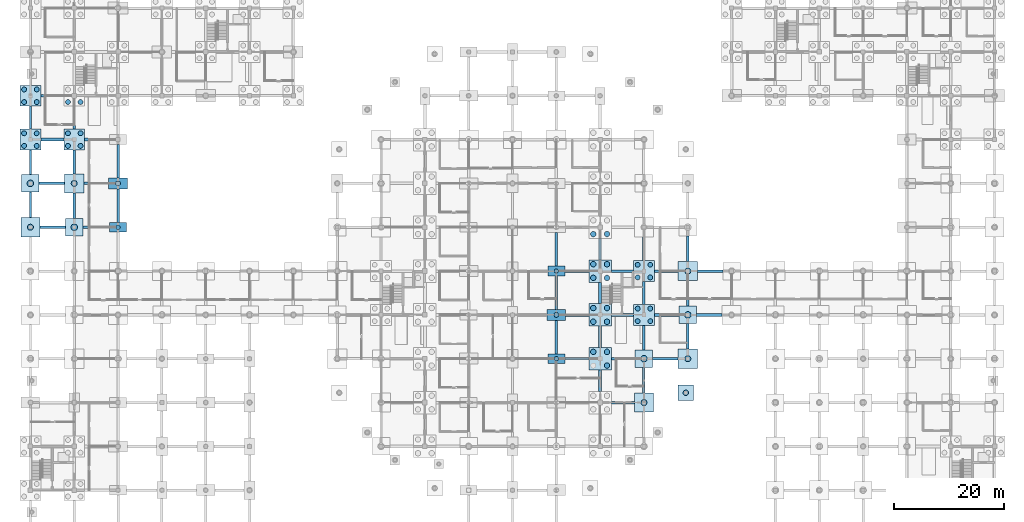
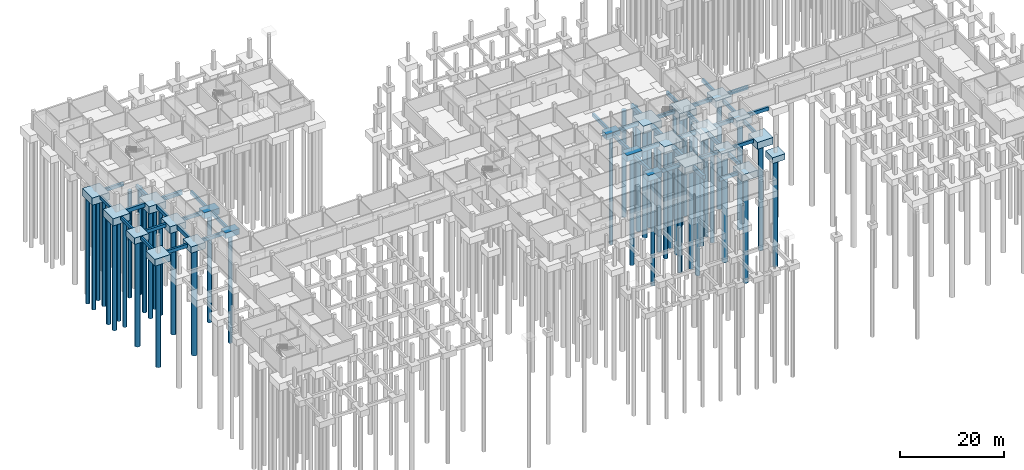
# One storey, part 5 of 48: 64 footings, 50 piles.
"""IFC4 building model written with IfcOpenShell, lengths in metres."""

from ifc_helpers import new_model, si_unit, derived_unit, direction, frame, origin, origin_2d, place, context, subcontext, project, spatial, rectangle, circle, extrude, material, material_profile, profile_set, type_object, element, save


model = new_model("IFC4")

# Units and contexts
model_context = context("Model", 3, precision=1e-05, world=origin(), true_north=direction((0.0, 1.0)))
body_context = subcontext(model_context, "Body", "Model", "MODEL_VIEW")
ifc_project = project(units=[si_unit("LENGTHUNIT", "METRE"), si_unit("AREAUNIT", "SQUARE_METRE"), si_unit("VOLUMEUNIT", "CUBIC_METRE"), si_unit("PLANEANGLEUNIT", "RADIAN"), si_unit("MASSUNIT", "GRAM", prefix="KILO"), derived_unit("THERMALTRANSMITTANCEUNIT", [(si_unit("MASSUNIT", "GRAM", prefix="KILO"), 1), (si_unit("TIMEUNIT", "SECOND"), -3), (si_unit("THERMODYNAMICTEMPERATUREUNIT", "KELVIN"), -1)])], contexts=[model_context])

# Site, building, storey
site_placement = place(None, origin())
site = spatial("IfcSite", under=ifc_project, at=site_placement, CompositionType="ELEMENT")
building_placement = place(site_placement, origin())
building = spatial("IfcBuilding", under=site, at=building_placement, Name="Veyamyaing Civic Hall", CompositionType="ELEMENT")
storey_placement = place(building_placement, frame((0.0, 0.0, -4.2900390625)))
storey = spatial("IfcBuildingStorey", under=building, at=storey_placement, Name="B1", CompositionType="ELEMENT", Elevation=-4.2900390625)

# Footings
ifc_material_1 = material(Name="Concrete C40/50", Category="concrete")
ifc_material_profile_1 = material_profile(ifc_material_1, rectangle(XDim=0.5, YDim=0.85009765625, at=origin_2d()), Name="GB-500X850")
ifc_profile_set_1 = profile_set([ifc_material_profile_1], Name="Concrete C40/50")
footing_type_1 = type_object("IfcFootingType", Name="GB-01", PredefinedType="FOOTING_BEAM", material=ifc_profile_set_1)
footing_1_placement = place(storey_placement, frame((8.0, 65.60009765625, -0.574951171875), z_axis=(0.0, 1.0, 0.0), x_axis=(-1.0, 0.0, 0.0)))
element("IfcFooting", 1, at=footing_1_placement, inside=storey, type_object=footing_type_1, Name="Footing tie beam GB-01 Y 1-8", PredefinedType="FOOTING_BEAM", context=body_context, shape_type="SweptSolid", body=[
    extrude(rectangle(XDim=0.5, YDim=0.85009765625, at=origin_2d()), origin(), (0.0, 0.0, 1.0), 4.64990234375),
])
footing_2_placement = place(storey_placement, frame((8.0, 73.75, -0.574951171875), z_axis=(0.0, 1.0, 0.0), x_axis=(-1.0, 0.0, 0.0)))
element("IfcFooting", 2, at=footing_2_placement, inside=storey, type_object=footing_type_1, Name="Footing tie beam GB-01 Y 1-9", PredefinedType="FOOTING_BEAM", context=body_context, shape_type="SweptSolid", body=[
    extrude(rectangle(XDim=0.5, YDim=0.85009765625, at=origin_2d()), origin(), (0.0, 0.0, 1.0), 4.35009765625),
])
footing_3_placement = place(storey_placement, frame((8.0, 81.89990234375, -0.574951171875), z_axis=(0.0, 1.0, 0.0), x_axis=(-1.0, 0.0, 0.0)))
element("IfcFooting", 3, at=footing_3_placement, inside=storey, type_object=footing_type_1, Name="Footing tie beam GB-01 Y 1-10", PredefinedType="FOOTING_BEAM", context=body_context, shape_type="SweptSolid", body=[
    extrude(rectangle(XDim=0.5, YDim=0.85009765625, at=origin_2d()), origin(), (0.0, 0.0, 1.0), 4.2001953125),
])
footing_4_placement = place(storey_placement, frame((97.699951171875, 48.0, -0.574951171875), z_axis=(1.0, 0.0, 0.0), x_axis=(0.0, 1.0, 0.0)))
element("IfcFooting", 4, at=footing_4_placement, inside=storey, type_object=footing_type_1, Name="Footing tie beam GB-01 X 12-6", PredefinedType="FOOTING_BEAM", context=body_context, shape_type="SweptSolid", body=[
    extrude(rectangle(XDim=0.5, YDim=0.85009765625, at=origin_2d()), origin(), (0.0, 0.0, 1.0), 4.25),
])
footing_5_placement = place(storey_placement, frame((106.050048828125, 48.0, -0.574951171875), z_axis=(1.0, 0.0, 0.0), x_axis=(0.0, 1.0, 0.0)))
element("IfcFooting", 5, at=footing_5_placement, inside=storey, type_object=footing_type_1, Name="Footing tie beam GB-01 X 13-6", PredefinedType="FOOTING_BEAM", context=body_context, shape_type="SweptSolid", body=[
    extrude(rectangle(XDim=0.5, YDim=0.85009765625, at=origin_2d()), origin(), (0.0, 0.0, 1.0), 4.050048828125),
])
footing_6_placement = place(storey_placement, frame((113.89990234375, 48.0, -0.574951171875), z_axis=(1.0, 0.0, 0.0), x_axis=(0.0, 1.0, 0.0)))
element("IfcFooting", 6, at=footing_6_placement, inside=storey, type_object=footing_type_1, Name="Footing tie beam GB-01 X 14-6", PredefinedType="FOOTING_BEAM", context=body_context, shape_type="SweptSolid", body=[
    extrude(rectangle(XDim=0.5, YDim=0.85009765625, at=origin_2d()), origin(), (0.0, 0.0, 1.0), 4.5),
])
footing_7_placement = place(storey_placement, frame((121.60009765625, 48.0, -0.574951171875), z_axis=(1.0, 0.0, 0.0), x_axis=(0.0, 1.0, 0.0)))
element("IfcFooting", 7, at=footing_7_placement, inside=storey, type_object=footing_type_1, Name="Footing tie beam GB-01 X 15-6", PredefinedType="FOOTING_BEAM", context=body_context, shape_type="SweptSolid", body=[
    extrude(rectangle(XDim=0.5, YDim=0.85009765625, at=origin_2d()), origin(), (0.0, 0.0, 1.0), 4.64990234375),
])
ifc_material_profile_2 = material_profile(ifc_material_1, rectangle(XDim=0.449951171875, YDim=0.800048828125, at=origin_2d()), Name="GB-450X800")
ifc_profile_set_2 = profile_set([ifc_material_profile_2], Name="Concrete C40/50")
footing_type_2 = type_object("IfcFootingType", Name="GB-02", PredefinedType="FOOTING_BEAM", material=ifc_profile_set_2)
for number, where, z_axis, x_axis, name in (
    (8, (1.75, 64.0, -0.550048828125), (1.0, 0.0, 0.0), (0.0, 1.0, 0.0), "Footing tie beam GB-02 X 0-8"),
    (9, (1.60009765625, 72.0, -0.550048828125), (1.0, 0.0, 0.0), (0.0, 1.0, 0.0), "Footing tie beam GB-02 X 0-9"),
):
    element("IfcFooting", number, at=place(storey_placement, frame(where, z_axis=z_axis, x_axis=x_axis)), inside=storey, type_object=footing_type_2, Name=name, PredefinedType="FOOTING_BEAM", context=body_context, shape_type="SweptSolid", body=[
        extrude(rectangle(XDim=0.449951171875, YDim=0.800048828125, at=origin_2d()), origin(), (0.0, 0.0, 1.0), 4.64990234375),
    ])
footing_8_placement = place(storey_placement, frame((1.89990234375, 88.0, -0.550048828125), z_axis=(1.0, 0.0, 0.0), x_axis=(0.0, 1.0, 0.0)))
element("IfcFooting", 10, at=footing_8_placement, inside=storey, type_object=footing_type_2, Name="Footing tie beam GB-02 X 0-11", PredefinedType="FOOTING_BEAM", context=body_context, shape_type="SweptSolid", body=[
    extrude(rectangle(XDim=0.449951171875, YDim=0.800048828125, at=origin_2d()), origin(), (0.0, 0.0, 1.0), 4.2001953125),
])
footing_9_placement = place(storey_placement, frame((9.60009765625, 64.0, -0.550048828125), z_axis=(1.0, 0.0, 0.0), x_axis=(0.0, 1.0, 0.0)))
element("IfcFooting", 11, at=footing_9_placement, inside=storey, type_object=footing_type_2, Name="Footing tie beam GB-02 X 1-8", PredefinedType="FOOTING_BEAM", context=body_context, shape_type="SweptSolid", body=[
    extrude(rectangle(XDim=0.449951171875, YDim=0.800048828125, at=origin_2d()), origin(), (0.0, 0.0, 1.0), 4.849853515625),
])
footing_10_placement = place(storey_placement, frame((9.75, 72.0, -0.550048828125), z_axis=(1.0, 0.0, 0.0), x_axis=(0.0, 1.0, 0.0)))
element("IfcFooting", 12, at=footing_10_placement, inside=storey, type_object=footing_type_2, Name="Footing tie beam GB-02 X 1-9", PredefinedType="FOOTING_BEAM", context=body_context, shape_type="SweptSolid", body=[
    extrude(rectangle(XDim=0.449951171875, YDim=0.800048828125, at=origin_2d()), origin(), (0.0, 0.0, 1.0), 4.550048828125),
])
for number, where, z_axis, x_axis, name in (
    (13, (16.0, 64.89990234375, -0.550048828125), (0.0, 1.0, 0.0), (-1.0, 0.0, 0.0), "Footing tie beam GB-02 Y 2-8"),
    (14, (16.0, 73.0, -0.550048828125), (0.0, 1.0, 0.0), (-1.0, 0.0, 0.0), "Footing tie beam GB-02 Y 2-9"),
):
    element("IfcFooting", number, at=place(storey_placement, frame(where, z_axis=z_axis, x_axis=x_axis)), inside=storey, type_object=footing_type_2, Name=name, PredefinedType="FOOTING_BEAM", context=body_context, shape_type="SweptSolid", body=[
        extrude(rectangle(XDim=0.449951171875, YDim=0.800048828125, at=origin_2d()), origin(), (0.0, 0.0, 1.0), 6.10009765625),
    ])
footing_11_placement = place(storey_placement, frame((97.550048828125, 40.0, -0.550048828125), z_axis=(1.0, 0.0, 0.0), x_axis=(0.0, 1.0, 0.0)))
element("IfcFooting", 15, at=footing_11_placement, inside=storey, type_object=footing_type_2, Name="Footing tie beam GB-02 X 12-5", PredefinedType="FOOTING_BEAM", context=body_context, shape_type="SweptSolid", body=[
    extrude(rectangle(XDim=0.449951171875, YDim=0.800048828125, at=origin_2d()), origin(), (0.0, 0.0, 1.0), 4.39990234375),
])
for number, where, z_axis, x_axis, name in (
    (16, (96.0, 40.89990234375, -0.550048828125), (0.0, 1.0, 0.0), (-1.0, 0.0, 0.0), "Footing tie beam GB-02 Y 12-5"),
    (17, (96.0, 49.0, -0.550048828125), (0.0, 1.0, 0.0), (-1.0, 0.0, 0.0), "Footing tie beam GB-02 Y 12-6"),
):
    element("IfcFooting", number, at=place(storey_placement, frame(where, z_axis=z_axis, x_axis=x_axis)), inside=storey, type_object=footing_type_2, Name=name, PredefinedType="FOOTING_BEAM", context=body_context, shape_type="SweptSolid", body=[
        extrude(rectangle(XDim=0.449951171875, YDim=0.800048828125, at=origin_2d()), origin(), (0.0, 0.0, 1.0), 6.10009765625),
    ])
footing_12_placement = place(storey_placement, frame((97.550048828125, 56.0, -0.550048828125), z_axis=(1.0, 0.0, 0.0), x_axis=(0.0, 1.0, 0.0)))
element("IfcFooting", 18, at=footing_12_placement, inside=storey, type_object=footing_type_2, Name="Footing tie beam GB-02 X 12-7", PredefinedType="FOOTING_BEAM", context=body_context, shape_type="SweptSolid", body=[
    extrude(rectangle(XDim=0.449951171875, YDim=0.800048828125, at=origin_2d()), origin(), (0.0, 0.0, 1.0), 4.39990234375),
])
footing_13_placement = place(storey_placement, frame((96.0, 56.89990234375, -0.550048828125), z_axis=(0.0, 1.0, 0.0), x_axis=(-1.0, 0.0, 0.0)))
element("IfcFooting", 19, at=footing_13_placement, inside=storey, type_object=footing_type_2, Name="Footing tie beam GB-02 Y 12-7", PredefinedType="FOOTING_BEAM", context=body_context, shape_type="SweptSolid", body=[
    extrude(rectangle(XDim=0.449951171875, YDim=0.800048828125, at=origin_2d()), origin(), (0.0, 0.0, 1.0), 6.10009765625),
])
footing_14_placement = place(storey_placement, frame((106.050048828125, 32.0, -0.550048828125), z_axis=(1.0, 0.0, 0.0), x_axis=(0.0, 1.0, 0.0)))
element("IfcFooting", 20, at=footing_14_placement, inside=storey, type_object=footing_type_2, Name="Footing tie beam GB-02 X 13-4", PredefinedType="FOOTING_BEAM", context=body_context, shape_type="SweptSolid", body=[
    extrude(rectangle(XDim=0.449951171875, YDim=0.800048828125, at=origin_2d()), origin(), (0.0, 0.0, 1.0), 4.199951171875),
])
footing_15_placement = place(storey_placement, frame((106.050048828125, 40.0, -0.550048828125), z_axis=(1.0, 0.0, 0.0), x_axis=(0.0, 1.0, 0.0)))
element("IfcFooting", 21, at=footing_15_placement, inside=storey, type_object=footing_type_2, Name="Footing tie beam GB-02 X 13-5", PredefinedType="FOOTING_BEAM", context=body_context, shape_type="SweptSolid", body=[
    extrude(rectangle(XDim=0.449951171875, YDim=0.800048828125, at=origin_2d()), origin(), (0.0, 0.0, 1.0), 4.349853515625),
])
footing_16_placement = place(storey_placement, frame((106.050048828125, 56.0, -0.550048828125), z_axis=(1.0, 0.0, 0.0), x_axis=(0.0, 1.0, 0.0)))
element("IfcFooting", 22, at=footing_16_placement, inside=storey, type_object=footing_type_2, Name="Footing tie beam GB-02 X 13-7", PredefinedType="FOOTING_BEAM", context=body_context, shape_type="SweptSolid", body=[
    extrude(rectangle(XDim=0.449951171875, YDim=0.800048828125, at=origin_2d()), origin(), (0.0, 0.0, 1.0), 4.050048828125),
])
for number, where, z_axis, x_axis, name in (
    (23, (112.0, 33.75, -0.550048828125), (0.0, 1.0, 0.0), (-1.0, 0.0, 0.0), "Footing tie beam GB-02 Y 14-4"),
    (24, (113.60009765625, 40.0, -0.550048828125), (1.0, 0.0, 0.0), (0.0, 1.0, 0.0), "Footing tie beam GB-02 X 14-5"),
):
    element("IfcFooting", number, at=place(storey_placement, frame(where, z_axis=z_axis, x_axis=x_axis)), inside=storey, type_object=footing_type_2, Name=name, PredefinedType="FOOTING_BEAM", context=body_context, shape_type="SweptSolid", body=[
        extrude(rectangle(XDim=0.449951171875, YDim=0.800048828125, at=origin_2d()), origin(), (0.0, 0.0, 1.0), 4.64990234375),
    ])
footing_17_placement = place(storey_placement, frame((112.0, 41.60009765625, -0.550048828125), z_axis=(0.0, 1.0, 0.0), x_axis=(-1.0, 0.0, 0.0)))
element("IfcFooting", 25, at=footing_17_placement, inside=storey, type_object=footing_type_2, Name="Footing tie beam GB-02 Y 14-5", PredefinedType="FOOTING_BEAM", context=body_context, shape_type="SweptSolid", body=[
    extrude(rectangle(XDim=0.449951171875, YDim=0.800048828125, at=origin_2d()), origin(), (0.0, 0.0, 1.0), 4.5),
])
footing_18_placement = place(storey_placement, frame((112.0, 49.89990234375, -0.550048828125), z_axis=(0.0, 1.0, 0.0), x_axis=(-1.0, 0.0, 0.0)))
element("IfcFooting", 26, at=footing_18_placement, inside=storey, type_object=footing_type_2, Name="Footing tie beam GB-02 Y 14-6", PredefinedType="FOOTING_BEAM", context=body_context, shape_type="SweptSolid", body=[
    extrude(rectangle(XDim=0.449951171875, YDim=0.800048828125, at=origin_2d()), origin(), (0.0, 0.0, 1.0), 4.2001953125),
])
for number, where, z_axis, x_axis, name in (
    (27, (113.89990234375, 56.0, -0.550048828125), (1.0, 0.0, 0.0), (0.0, 1.0, 0.0), "Footing tie beam GB-02 X 14-7"),
    (28, (112.0, 57.89990234375, -0.550048828125), (0.0, 1.0, 0.0), (-1.0, 0.0, 0.0), "Footing tie beam GB-02 Y 14-7"),
):
    element("IfcFooting", number, at=place(storey_placement, frame(where, z_axis=z_axis, x_axis=x_axis)), inside=storey, type_object=footing_type_2, Name=name, PredefinedType="FOOTING_BEAM", context=body_context, shape_type="SweptSolid", body=[
        extrude(rectangle(XDim=0.449951171875, YDim=0.800048828125, at=origin_2d()), origin(), (0.0, 0.0, 1.0), 4.35009765625),
    ])
for number, where, z_axis, x_axis, name in (
    (29, (120.0, 41.75, -0.550048828125), (0.0, 1.0, 0.0), (-1.0, 0.0, 0.0), "Footing tie beam GB-02 Y 15-5"),
    (30, (120.0, 49.60009765625, -0.550048828125), (0.0, 1.0, 0.0), (-1.0, 0.0, 0.0), "Footing tie beam GB-02 Y 15-6"),
    (31, (121.75, 56.0, -0.550048828125), (1.0, 0.0, 0.0), (0.0, 1.0, 0.0), "Footing tie beam GB-02 X 15-7"),
    (32, (120.0, 57.75, -0.550048828125), (0.0, 1.0, 0.0), (-1.0, 0.0, 0.0), "Footing tie beam GB-02 Y 15-7"),
):
    element("IfcFooting", number, at=place(storey_placement, frame(where, z_axis=z_axis, x_axis=x_axis)), inside=storey, type_object=footing_type_2, Name=name, PredefinedType="FOOTING_BEAM", context=body_context, shape_type="SweptSolid", body=[
        extrude(rectangle(XDim=0.449951171875, YDim=0.800048828125, at=origin_2d()), origin(), (0.0, 0.0, 1.0), 4.64990234375),
    ])
ifc_material_profile_3 = material_profile(ifc_material_1, rectangle(XDim=0.39990234375, YDim=0.699951171875, at=origin_2d()), Name="GB-400X700")
ifc_profile_set_3 = profile_set([ifc_material_profile_3], Name="Concrete C40/50")
footing_type_3 = type_object("IfcFootingType", Name="GB-03", PredefinedType="FOOTING_BEAM", material=ifc_profile_set_3)
footing_19_placement = place(storey_placement, frame((0.0, 65.75, -0.5), z_axis=(0.0, 1.0, 0.0), x_axis=(-1.0, 0.0, 0.0)))
element("IfcFooting", 33, at=footing_19_placement, inside=storey, type_object=footing_type_3, Name="Footing tie beam GB-03 Y 0-8", PredefinedType="FOOTING_BEAM", context=body_context, shape_type="SweptSolid", body=[
    extrude(rectangle(XDim=0.39990234375, YDim=0.699951171875, at=origin_2d()), origin(), (0.0, 0.0, 1.0), 4.64990234375),
])
footing_20_placement = place(storey_placement, frame((0.0, 73.60009765625, -0.5), z_axis=(0.0, 1.0, 0.0), x_axis=(-1.0, 0.0, 0.0)))
element("IfcFooting", 34, at=footing_20_placement, inside=storey, type_object=footing_type_3, Name="Footing tie beam GB-03 Y 0-9", PredefinedType="FOOTING_BEAM", context=body_context, shape_type="SweptSolid", body=[
    extrude(rectangle(XDim=0.39990234375, YDim=0.699951171875, at=origin_2d()), origin(), (0.0, 0.0, 1.0), 4.5),
])
footing_21_placement = place(storey_placement, frame((0.0, 81.89990234375, -0.5), z_axis=(0.0, 1.0, 0.0), x_axis=(-1.0, 0.0, 0.0)))
element("IfcFooting", 35, at=footing_21_placement, inside=storey, type_object=footing_type_3, Name="Footing tie beam GB-03 Y 0-10", PredefinedType="FOOTING_BEAM", context=body_context, shape_type="SweptSolid", body=[
    extrude(rectangle(XDim=0.39990234375, YDim=0.699951171875, at=origin_2d()), origin(), (0.0, 0.0, 1.0), 4.2001953125),
])
ifc_material_profile_4 = material_profile(ifc_material_1, rectangle(XDim=0.550048828125, YDim=0.89990234375, at=origin_2d()), Name="GB-550X900")
ifc_profile_set_4 = profile_set([ifc_material_profile_4], Name="Concrete C40/50")
footing_type_4 = type_object("IfcFootingType", Name="GB-04", PredefinedType="FOOTING_BEAM", material=ifc_profile_set_4)
footing_22_placement = place(storey_placement, frame((1.89990234375, 80.0, -0.599853515625), z_axis=(1.0, 0.0, 0.0), x_axis=(0.0, 1.0, 0.0)))
element("IfcFooting", 36, at=footing_22_placement, inside=storey, type_object=footing_type_4, Name="Footing tie beam GB-04 X 0-10", PredefinedType="FOOTING_BEAM", context=body_context, shape_type="SweptSolid", body=[
    extrude(rectangle(XDim=0.550048828125, YDim=0.89990234375, at=origin_2d()), origin(), (0.0, 0.0, 1.0), 4.2001953125),
])
footing_23_placement = place(storey_placement, frame((9.89990234375, 80.0, -0.599853515625), z_axis=(1.0, 0.0, 0.0), x_axis=(0.0, 1.0, 0.0)))
element("IfcFooting", 37, at=footing_23_placement, inside=storey, type_object=footing_type_4, Name="Footing tie beam GB-04 X 1-10", PredefinedType="FOOTING_BEAM", context=body_context, shape_type="SweptSolid", body=[
    extrude(rectangle(XDim=0.550048828125, YDim=0.89990234375, at=origin_2d()), origin(), (0.0, 0.0, 1.0), 4.550048828125),
])
for number, where, z_axis, x_axis, name in (
    (38, (104.0, 34.050048828125, -0.599853515625), (0.0, 1.0, 0.0), (-1.0, 0.0, 0.0), "Footing tie beam GB-04 Y 13-4"),
    (39, (104.0, 42.050048828125, -0.599853515625), (0.0, 1.0, 0.0), (-1.0, 0.0, 0.0), "Footing tie beam GB-04 Y 13-5"),
    (40, (104.0, 50.050048828125, -0.599853515625), (0.0, 1.0, 0.0), (-1.0, 0.0, 0.0), "Footing tie beam GB-04 Y 13-6"),
    (41, (104.0, 58.050048828125, -0.599853515625), (0.0, 1.0, 0.0), (-1.0, 0.0, 0.0), "Footing tie beam GB-04 Y 13-7"),
):
    element("IfcFooting", number, at=place(storey_placement, frame(where, z_axis=z_axis, x_axis=x_axis)), inside=storey, type_object=footing_type_4, Name=name, PredefinedType="FOOTING_BEAM", context=body_context, shape_type="SweptSolid", body=[
        extrude(rectangle(XDim=0.550048828125, YDim=0.89990234375, at=origin_2d()), origin(), (0.0, 0.0, 1.0), 3.89990234375),
    ])

# Piles
ifc_material_2 = material(Name="Concrete C35/45", Category="concrete")
ifc_material_profile_5 = material_profile(ifc_material_2, circle(Radius=0.60009765625, at=origin_2d()), Name="PILE-D1200")
ifc_profile_set_5 = profile_set([ifc_material_profile_5], Name="Concrete C35/45")
pile_type_1 = type_object("IfcPileType", Name="P-01", PredefinedType="BORED", material=ifc_profile_set_5)
for number, where, z_axis, x_axis, name in (
    (42, (0.0, 72.0, -1.39990234375), (0.0, 0.0, -1.0), (1.0, 0.0, 0.0), "Bored pile P-01 G00-09.1"),
    (43, (8.0, 64.0, -1.39990234375), (0.0, 0.0, -1.0), (1.0, 0.0, 0.0), "Bored pile P-01 G01-08.1"),
    (44, (112.0, 40.0, -1.39990234375), (0.0, 0.0, -1.0), (1.0, 0.0, 0.0), "Bored pile P-01 G14-05.1"),
    (45, (120.0, 48.0, -1.39990234375), (0.0, 0.0, -1.0), (1.0, 0.0, 0.0), "Bored pile P-01 G15-06.1"),
):
    element("IfcPile", number, at=place(storey_placement, frame(where, z_axis=z_axis, x_axis=x_axis)), inside=storey, type_object=pile_type_1, Name=name, PredefinedType="BORED", context=body_context, shape_type="SweptSolid", body=[
        extrude(circle(Radius=0.60009765625, at=origin_2d()), origin(), (0.0, 0.0, 1.0), 25.31005859375),
    ])
ifc_material_profile_6 = material_profile(ifc_material_2, circle(Radius=0.550048828125, at=origin_2d()), Name="PILE-D1100")
ifc_profile_set_6 = profile_set([ifc_material_profile_6], Name="Concrete C35/45")
pile_type_2 = type_object("IfcPileType", Name="P-02", PredefinedType="BORED", material=ifc_profile_set_6)
for number, where, z_axis, x_axis, name in (
    (46, (0.0, 64.0, -1.5), (0.0, 0.0, -1.0), (1.0, 0.0, 0.0), "Bored pile P-02 G00-08.1"),
    (47, (8.0, 72.0, -1.5), (0.0, 0.0, -1.0), (1.0, 0.0, 0.0), "Bored pile P-02 G01-09.1"),
    (48, (112.0, 32.0, -1.5), (0.0, 0.0, -1.0), (1.0, 0.0, 0.0), "Bored pile P-02 G14-04.1"),
    (49, (120.0, 40.0, -1.5), (0.0, 0.0, -1.0), (1.0, 0.0, 0.0), "Bored pile P-02 G15-05.1"),
    (50, (120.0, 56.0, -1.5), (0.0, 0.0, -1.0), (1.0, 0.0, 0.0), "Bored pile P-02 G15-07.1"),
):
    element("IfcPile", number, at=place(storey_placement, frame(where, z_axis=z_axis, x_axis=x_axis)), inside=storey, type_object=pile_type_2, Name=name, PredefinedType="BORED", context=body_context, shape_type="SweptSolid", body=[
        extrude(circle(Radius=0.550048828125, at=origin_2d()), origin(), (0.0, 0.0, 1.0), 25.2099609375),
    ])
ifc_material_profile_7 = material_profile(ifc_material_2, circle(Radius=0.5, at=origin_2d()), Name="PILE-D1000")
ifc_profile_set_7 = profile_set([ifc_material_profile_7], Name="Concrete C35/45")
pile_type_3 = type_object("IfcPileType", Name="P-03", PredefinedType="BORED", material=ifc_profile_set_7)
for number, where, z_axis, x_axis, name in (
    (51, (102.75, 41.25, -1.699951171875), (0.0, 0.0, -1.0), (1.0, 0.0, 0.0), "Bored pile P-03 G13-05.2"),
    (52, (105.25, 38.75, -1.699951171875), (0.0, 0.0, -1.0), (1.0, 0.0, 0.0), "Bored pile P-03 G13-05.3"),
    (53, (105.25, 41.25, -1.699951171875), (0.0, 0.0, -1.0), (1.0, 0.0, 0.0), "Bored pile P-03 G13-05.4"),
    (54, (102.75, 46.75, -1.699951171875), (0.0, 0.0, -1.0), (1.0, 0.0, 0.0), "Bored pile P-03 G13-06.1"),
    (55, (102.75, 49.25, -1.699951171875), (0.0, 0.0, -1.0), (1.0, 0.0, 0.0), "Bored pile P-03 G13-06.2"),
    (56, (105.25, 46.75, -1.699951171875), (0.0, 0.0, -1.0), (1.0, 0.0, 0.0), "Bored pile P-03 G13-06.3"),
    (57, (105.25, 49.25, -1.699951171875), (0.0, 0.0, -1.0), (1.0, 0.0, 0.0), "Bored pile P-03 G13-06.4"),
    (58, (102.75, 54.75, -1.699951171875), (0.0, 0.0, -1.0), (1.0, 0.0, 0.0), "Bored pile P-03 G13-07.1"),
    (59, (102.75, 57.25, -1.699951171875), (0.0, 0.0, -1.0), (1.0, 0.0, 0.0), "Bored pile P-03 G13-07.2"),
    (60, (105.25, 54.75, -1.699951171875), (0.0, 0.0, -1.0), (1.0, 0.0, 0.0), "Bored pile P-03 G13-07.3"),
    (61, (105.25, 57.25, -1.699951171875), (0.0, 0.0, -1.0), (1.0, 0.0, 0.0), "Bored pile P-03 G13-07.4"),
    (62, (102.75, 62.75, -1.699951171875), (0.0, 0.0, -1.0), (1.0, 0.0, 0.0), "Bored pile P-03 G13-08.1"),
    (63, (105.25, 62.75, -1.699951171875), (0.0, 0.0, -1.0), (1.0, 0.0, 0.0), "Bored pile P-03 G13-08.3"),
):
    element("IfcPile", number, at=place(storey_placement, frame(where, z_axis=z_axis, x_axis=x_axis)), inside=storey, type_object=pile_type_3, Name=name, PredefinedType="BORED", context=body_context, shape_type="SweptSolid", body=[
        extrude(circle(Radius=0.5, at=origin_2d()), origin(), (0.0, 0.0, 1.0), 25.010009765625),
    ])
pile_placement = place(storey_placement, frame((119.63623046875, 33.779296875, -1.300048828125), z_axis=(0.0, 0.0, -1.0), x_axis=(1.0, 0.0, 0.0)))
element("IfcPile", 64, at=pile_placement, inside=storey, type_object=pile_type_3, Name="Bored pile P-03 ARC-SE-14.1", PredefinedType="BORED", context=body_context, shape_type="SweptSolid", body=[
    extrude(circle(Radius=0.5, at=origin_2d()), origin(), (0.0, 0.0, 1.0), 25.409912109375),
])
ifc_material_profile_8 = material_profile(ifc_material_2, circle(Radius=0.449951171875, at=origin_2d()), Name="PILE-D900")
ifc_profile_set_8 = profile_set([ifc_material_profile_8], Name="Concrete C35/45")
pile_type_4 = type_object("IfcPileType", Name="P-04", PredefinedType="BORED", material=ifc_profile_set_8)
for number, where, z_axis, x_axis, name in (
    (65, (-1.14990234375, 78.85009765625, -1.599853515625), (0.0, 0.0, -1.0), (1.0, 0.0, 0.0), "Bored pile P-04 G00-10.1"),
    (66, (-1.14990234375, 81.14990234375, -1.599853515625), (0.0, 0.0, -1.0), (1.0, 0.0, 0.0), "Bored pile P-04 G00-10.2"),
    (67, (1.14990234375, 78.85009765625, -1.599853515625), (0.0, 0.0, -1.0), (1.0, 0.0, 0.0), "Bored pile P-04 G00-10.3"),
    (68, (1.14990234375, 81.14990234375, -1.599853515625), (0.0, 0.0, -1.0), (1.0, 0.0, 0.0), "Bored pile P-04 G00-10.4"),
    (69, (-1.14990234375, 86.85009765625, -1.599853515625), (0.0, 0.0, -1.0), (1.0, 0.0, 0.0), "Bored pile P-04 G00-11.1"),
    (70, (-1.14990234375, 89.14990234375, -1.599853515625), (0.0, 0.0, -1.0), (1.0, 0.0, 0.0), "Bored pile P-04 G00-11.2"),
    (71, (1.14990234375, 86.85009765625, -1.599853515625), (0.0, 0.0, -1.0), (1.0, 0.0, 0.0), "Bored pile P-04 G00-11.3"),
    (72, (1.14990234375, 89.14990234375, -1.599853515625), (0.0, 0.0, -1.0), (1.0, 0.0, 0.0), "Bored pile P-04 G00-11.4"),
    (73, (6.85009765625, 78.85009765625, -1.599853515625), (0.0, 0.0, -1.0), (1.0, 0.0, 0.0), "Bored pile P-04 G01-10.1"),
    (74, (6.85009765625, 81.14990234375, -1.599853515625), (0.0, 0.0, -1.0), (1.0, 0.0, 0.0), "Bored pile P-04 G01-10.2"),
    (75, (9.14990234375, 78.85009765625, -1.599853515625), (0.0, 0.0, -1.0), (1.0, 0.0, 0.0), "Bored pile P-04 G01-10.3"),
    (76, (9.14990234375, 81.14990234375, -1.599853515625), (0.0, 0.0, -1.0), (1.0, 0.0, 0.0), "Bored pile P-04 G01-10.4"),
    (77, (6.85009765625, 86.85009765625, -1.599853515625), (0.0, 0.0, -1.0), (1.0, 0.0, 0.0), "Bored pile P-04 G01-11.1"),
    (78, (9.14990234375, 86.85009765625, -1.599853515625), (0.0, 0.0, -1.0), (1.0, 0.0, 0.0), "Bored pile P-04 G01-11.3"),
):
    element("IfcPile", number, at=place(storey_placement, frame(where, z_axis=z_axis, x_axis=x_axis)), inside=storey, type_object=pile_type_4, Name=name, PredefinedType="BORED", context=body_context, shape_type="SweptSolid", body=[
        extrude(circle(Radius=0.449951171875, at=origin_2d()), origin(), (0.0, 0.0, 1.0), 25.110107421875),
    ])
for number, where, z_axis, x_axis, name in (
    (79, (16.0, 72.0, -1.349853515625), (0.0, 0.0, -1.0), (1.0, 0.0, 0.0), "Bored pile P-04 G02-09.1"),
    (80, (96.0, 48.0, -1.349853515625), (0.0, 0.0, -1.0), (1.0, 0.0, 0.0), "Bored pile P-04 G12-06.1"),
):
    element("IfcPile", number, at=place(storey_placement, frame(where, z_axis=z_axis, x_axis=x_axis)), inside=storey, type_object=pile_type_4, Name=name, PredefinedType="BORED", context=body_context, shape_type="SweptSolid", body=[
        extrude(circle(Radius=0.449951171875, at=origin_2d()), origin(), (0.0, 0.0, 1.0), 25.360107421875),
    ])
for number, where, z_axis, x_axis, name in (
    (81, (110.85009765625, 46.85009765625, -1.599853515625), (0.0, 0.0, -1.0), (1.0, 0.0, 0.0), "Bored pile P-04 G14-06.1"),
    (82, (110.85009765625, 49.14990234375, -1.599853515625), (0.0, 0.0, -1.0), (1.0, 0.0, 0.0), "Bored pile P-04 G14-06.2"),
    (83, (113.14990234375, 46.85009765625, -1.599853515625), (0.0, 0.0, -1.0), (1.0, 0.0, 0.0), "Bored pile P-04 G14-06.3"),
    (84, (113.14990234375, 49.14990234375, -1.599853515625), (0.0, 0.0, -1.0), (1.0, 0.0, 0.0), "Bored pile P-04 G14-06.4"),
    (85, (110.85009765625, 54.85009765625, -1.599853515625), (0.0, 0.0, -1.0), (1.0, 0.0, 0.0), "Bored pile P-04 G14-07.1"),
    (86, (110.85009765625, 57.14990234375, -1.599853515625), (0.0, 0.0, -1.0), (1.0, 0.0, 0.0), "Bored pile P-04 G14-07.2"),
    (87, (113.14990234375, 54.85009765625, -1.599853515625), (0.0, 0.0, -1.0), (1.0, 0.0, 0.0), "Bored pile P-04 G14-07.3"),
    (88, (113.14990234375, 57.14990234375, -1.599853515625), (0.0, 0.0, -1.0), (1.0, 0.0, 0.0), "Bored pile P-04 G14-07.4"),
):
    element("IfcPile", number, at=place(storey_placement, frame(where, z_axis=z_axis, x_axis=x_axis)), inside=storey, type_object=pile_type_4, Name=name, PredefinedType="BORED", context=body_context, shape_type="SweptSolid", body=[
        extrude(circle(Radius=0.449951171875, at=origin_2d()), origin(), (0.0, 0.0, 1.0), 25.110107421875),
    ])
ifc_material_profile_9 = material_profile(ifc_material_2, circle(Radius=0.39990234375, at=origin_2d()), Name="PILE-D800")
ifc_profile_set_9 = profile_set([ifc_material_profile_9], Name="Concrete C35/45")
pile_type_5 = type_object("IfcPileType", Name="P-05", PredefinedType="BORED", material=ifc_profile_set_9)
for number, where, z_axis, x_axis, name in (
    (89, (16.0, 64.0, -1.25), (0.0, 0.0, -1.0), (1.0, 0.0, 0.0), "Bored pile P-05 G02-08.1"),
    (90, (96.0, 40.0, -1.25), (0.0, 0.0, -1.0), (1.0, 0.0, 0.0), "Bored pile P-05 G12-05.1"),
    (91, (96.0, 56.0, -1.25), (0.0, 0.0, -1.0), (1.0, 0.0, 0.0), "Bored pile P-05 G12-07.1"),
):
    element("IfcPile", number, at=place(storey_placement, frame(where, z_axis=z_axis, x_axis=x_axis)), inside=storey, type_object=pile_type_5, Name=name, PredefinedType="BORED", context=body_context, shape_type="SweptSolid", body=[
        extrude(circle(Radius=0.39990234375, at=origin_2d()), origin(), (0.0, 0.0, 1.0), 25.4599609375),
    ])

# Footings
footing_type_5 = type_object("IfcFootingType", Name="PC-01", PredefinedType="PILE_CAP", material=ifc_material_1)
for number, where, z_axis, x_axis, name in (
    (92, (0.0, 80.0, -1.69970703125), (0.0, 0.0, 1.0), (1.0, 0.0, 0.0), "Pile cap PC-01 G00-10"),
    (93, (0.0, 88.0, -1.69970703125), (0.0, 0.0, 1.0), (1.0, 0.0, 0.0), "Pile cap PC-01 G00-11"),
    (94, (8.0, 80.0, -1.69970703125), (0.0, 0.0, 1.0), (1.0, 0.0, 0.0), "Pile cap PC-01 G01-10"),
    (95, (112.0, 48.0, -1.69970703125), (0.0, 0.0, 1.0), (1.0, 0.0, 0.0), "Pile cap PC-01 G14-06"),
    (96, (112.0, 56.0, -1.69970703125), (0.0, 0.0, 1.0), (1.0, 0.0, 0.0), "Pile cap PC-01 G14-07"),
):
    element("IfcFooting", number, at=place(storey_placement, frame(where, z_axis=z_axis, x_axis=x_axis)), inside=storey, type_object=footing_type_5, Name=name, PredefinedType="PILE_CAP", context=body_context, shape_type="SweptSolid", body=[
        extrude(rectangle(XDim=3.800048828125, YDim=3.800048828125, at=origin_2d()), origin(), (0.0, 0.0, 1.0), 1.699951171875),
    ])
footing_type_6 = type_object("IfcFootingType", Name="PC-02", PredefinedType="PILE_CAP", material=ifc_material_1)
for number, where, z_axis, x_axis, name in (
    (97, (0.0, 64.0, -1.60009765625), (0.0, 0.0, 1.0), (1.0, 0.0, 0.0), "Pile cap PC-02 G00-08"),
    (98, (8.0, 72.0, -1.60009765625), (0.0, 0.0, 1.0), (1.0, 0.0, 0.0), "Pile cap PC-02 G01-09"),
    (99, (112.0, 32.0, -1.60009765625), (0.0, 0.0, 1.0), (1.0, 0.0, 0.0), "Pile cap PC-02 G14-04"),
    (100, (120.0, 40.0, -1.60009765625), (0.0, 0.0, 1.0), (1.0, 0.0, 0.0), "Pile cap PC-02 G15-05"),
    (101, (120.0, 56.0, -1.60009765625), (0.0, 0.0, 1.0), (1.0, 0.0, 0.0), "Pile cap PC-02 G15-07"),
):
    element("IfcFooting", number, at=place(storey_placement, frame(where, z_axis=z_axis, x_axis=x_axis)), inside=storey, type_object=footing_type_6, Name=name, PredefinedType="PILE_CAP", context=body_context, shape_type="SweptSolid", body=[
        extrude(rectangle(XDim=3.5, YDim=3.5, at=origin_2d()), origin(), (0.0, 0.0, 1.0), 1.60009765625),
    ])
footing_type_7 = type_object("IfcFootingType", Name="PC-03", PredefinedType="PILE_CAP", material=ifc_material_1)
for number, where, z_axis, x_axis, name in (
    (102, (0.0, 72.0, -1.5), (0.0, 0.0, 1.0), (1.0, 0.0, 0.0), "Pile cap PC-03 G00-09"),
    (103, (8.0, 64.0, -1.5), (0.0, 0.0, 1.0), (1.0, 0.0, 0.0), "Pile cap PC-03 G01-08"),
    (104, (112.0, 40.0, -1.5), (0.0, 0.0, 1.0), (1.0, 0.0, 0.0), "Pile cap PC-03 G14-05"),
    (105, (120.0, 48.0, -1.5), (0.0, 0.0, 1.0), (1.0, 0.0, 0.0), "Pile cap PC-03 G15-06"),
):
    element("IfcFooting", number, at=place(storey_placement, frame(where, z_axis=z_axis, x_axis=x_axis)), inside=storey, type_object=footing_type_7, Name=name, PredefinedType="PILE_CAP", context=body_context, shape_type="SweptSolid", body=[
        extrude(rectangle(XDim=3.199951171875, YDim=3.199951171875, at=origin_2d()), origin(), (0.0, 0.0, 1.0), 1.5),
    ])
footing_type_8 = type_object("IfcFootingType", Name="PC-04", PredefinedType="PILE_CAP", material=ifc_material_1)
for number, where, z_axis, x_axis, name in (
    (106, (16.0, 72.0, -1.44970703125), (0.0, 0.0, 1.0), (1.0, 0.0, 0.0), "Pile cap PC-04 G02-09"),
    (107, (96.0, 48.0, -1.44970703125), (0.0, 0.0, 1.0), (1.0, 0.0, 0.0), "Pile cap PC-04 G12-06"),
):
    element("IfcFooting", number, at=place(storey_placement, frame(where, z_axis=z_axis, x_axis=x_axis)), inside=storey, type_object=footing_type_8, Name=name, PredefinedType="PILE_CAP", context=body_context, shape_type="SweptSolid", body=[
        extrude(rectangle(XDim=3.39990234375, YDim=2.0, at=origin_2d()), origin(), (0.0, 0.0, 1.0), 1.449951171875),
    ])
footing_type_9 = type_object("IfcFootingType", Name="PC-06", PredefinedType="PILE_CAP", material=ifc_material_1)
for number, where, z_axis, x_axis, name in (
    (108, (16.0, 64.0, -1.35009765625), (0.0, 0.0, 1.0), (1.0, 0.0, 0.0), "Pile cap PC-06 G02-08"),
    (109, (96.0, 40.0, -1.35009765625), (0.0, 0.0, 1.0), (1.0, 0.0, 0.0), "Pile cap PC-06 G12-05"),
    (110, (96.0, 56.0, -1.35009765625), (0.0, 0.0, 1.0), (1.0, 0.0, 0.0), "Pile cap PC-06 G12-07"),
):
    element("IfcFooting", number, at=place(storey_placement, frame(where, z_axis=z_axis, x_axis=x_axis)), inside=storey, type_object=footing_type_9, Name=name, PredefinedType="PILE_CAP", context=body_context, shape_type="SweptSolid", body=[
        extrude(rectangle(XDim=3.10009765625, YDim=1.800048828125, at=origin_2d()), origin(), (0.0, 0.0, 1.0), 1.35009765625),
    ])
footing_type_10 = type_object("IfcFootingType", Name="PC-08", PredefinedType="PILE_CAP", material=ifc_material_1)
footing_24_placement = place(storey_placement, frame((119.63623046875, 33.779296875, -1.39990234375), z_axis=(0.0, 0.0, 1.0), x_axis=(1.0, 0.0, 0.0)))
element("IfcFooting", 111, at=footing_24_placement, inside=storey, type_object=footing_type_10, Name="Pile cap PC-08 ARC-SE-14", PredefinedType="PILE_CAP", context=body_context, shape_type="SweptSolid", body=[
    extrude(rectangle(XDim=2.800048828125, YDim=2.800048828125, at=origin_2d()), origin(), (0.0, 0.0, 1.0), 1.39990234375),
])
footing_type_11 = type_object("IfcFootingType", Name="PC-11", PredefinedType="PILE_CAP", material=ifc_material_1)
for number, where, z_axis, x_axis, name in (
    (112, (104.0, 40.0, -1.7998046875), (0.0, 0.0, 1.0), (1.0, 0.0, 0.0), "Pile cap PC-11 G13-05"),
    (113, (104.0, 48.0, -1.7998046875), (0.0, 0.0, 1.0), (1.0, 0.0, 0.0), "Pile cap PC-11 G13-06"),
    (114, (104.0, 56.0, -1.7998046875), (0.0, 0.0, 1.0), (1.0, 0.0, 0.0), "Pile cap PC-11 G13-07"),
):
    element("IfcFooting", number, at=place(storey_placement, frame(where, z_axis=z_axis, x_axis=x_axis)), inside=storey, type_object=footing_type_11, Name=name, PredefinedType="PILE_CAP", context=body_context, shape_type="SweptSolid", body=[
        extrude(rectangle(XDim=4.10009765625, YDim=4.10009765625, at=origin_2d()), origin(), (0.0, 0.0, 1.0), 1.800048828125),
    ])

save(model, "model.ifc")
